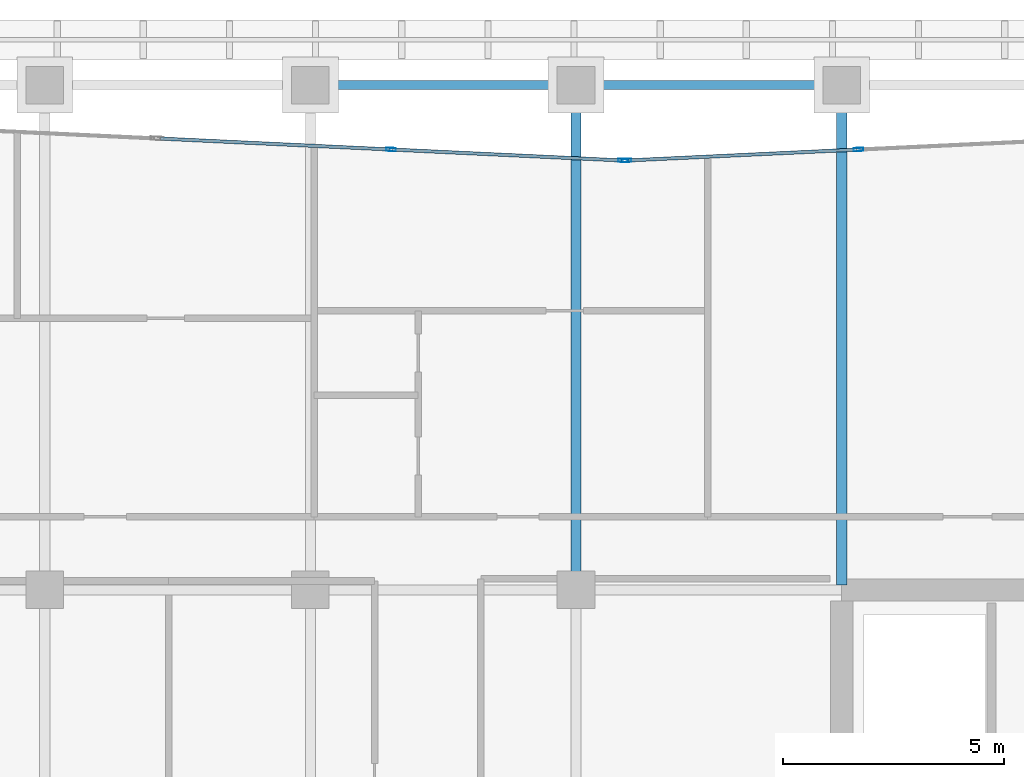
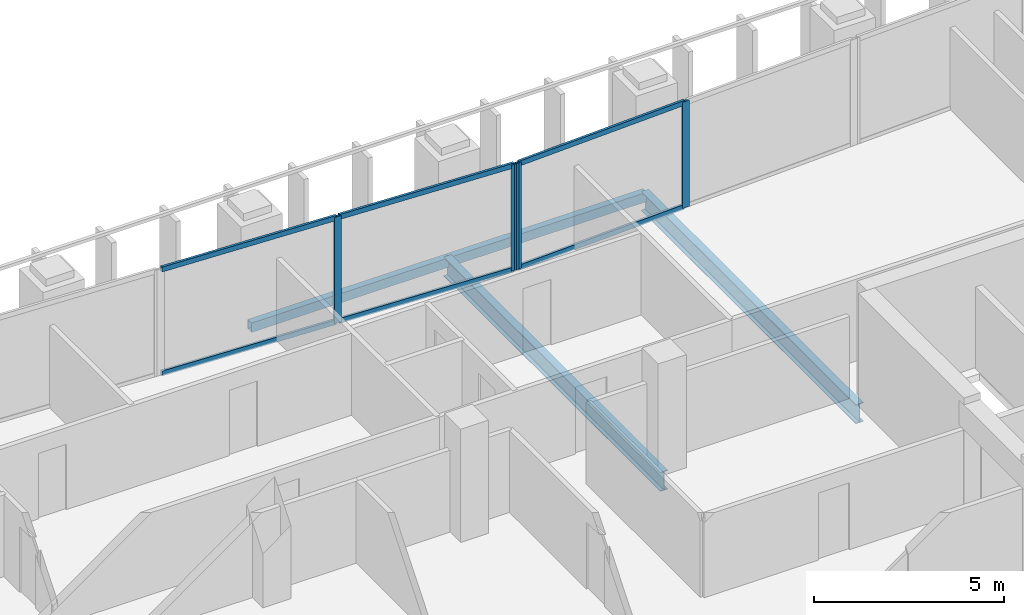
# One storey, part 13 of 29: 10 members, 4 beams, 2 elements without a shape of their own.
"""IFC4 building model written with IfcOpenShell, lengths in metres."""

from ifc_helpers import new_model, si_unit, direction, frame, origin, origin_2d, place, context, subcontext, project, spatial, hollow_rectangle, i_section, extrude, material, layer, layer_set, material_profile, profile_set, type_object, element, aggregate, save


model = new_model("IFC4")

# Units and contexts
model_context = context("Model", 3, precision=1e-05, world=origin(), true_north=direction((0.0, 1.0)))
body_context = subcontext(model_context, "Body", "Model", "MODEL_VIEW")
ifc_project = project(units=[si_unit("LENGTHUNIT", "METRE"), si_unit("AREAUNIT", "SQUARE_METRE"), si_unit("VOLUMEUNIT", "CUBIC_METRE"), si_unit("PLANEANGLEUNIT", "RADIAN"), si_unit("MASSUNIT", "GRAM", prefix="KILO")], contexts=[model_context])

# Site, building, storey
site_placement = place(None, origin())
site = spatial("IfcSite", under=ifc_project, at=site_placement, CompositionType="ELEMENT")
building_placement = place(site_placement, origin())
building = spatial("IfcBuilding", under=site, at=building_placement, Name="Tanjung Sevakor Pilgrim Tower", CompositionType="ELEMENT")
storey_placement = place(building_placement, frame((0.0, 0.0, 162.030029296875)))
storey = spatial("IfcBuildingStorey", under=building, at=storey_placement, Name="L45", CompositionType="ELEMENT", Elevation=162.030029296875)

# Beams
ifc_material_1 = material(Name="Steel S355J2", Category="steel")
ifc_material_profile_1 = material_profile(ifc_material_1, i_section(OverallWidth=0.22900390625, OverallDepth=0.6123046875, WebThickness=0.011962890625, FlangeThickness=0.01953125, FilletRadius=0.0126953125, at=origin_2d()))
ifc_profile_set_1 = profile_set([ifc_material_profile_1], Name="Steel S355J2")
beam_type_1 = type_object("IfcBeamType", Name="BM-B-G4-UB_610x229x125", PredefinedType="BEAM", material=ifc_profile_set_1)
beam_1_placement = place(storey_placement, frame((72.0, 42.60009765625, -0.526123046875), z_axis=(0.0, 1.0, 0.0), x_axis=(-1.0, 0.0, 0.0)))
element("IfcBeam", 1, at=beam_1_placement, inside=storey, type_object=beam_type_1, Name="L45 MAIN Girder 022", PredefinedType="BEAM", context=body_context, shape_type="SweptSolid", body=[
    extrude(i_section(OverallWidth=0.22900390625, OverallDepth=0.6123046875, WebThickness=0.011962890625, FlangeThickness=0.01953125, FilletRadius=0.0126953125, at=origin_2d()), origin(), (0.0, 0.0, 1.0), 11.39990234375),
])
beam_2_placement = place(storey_placement, frame((78.0, 42.715087890625, -0.526123046875), z_axis=(0.0, 1.0, 0.0), x_axis=(-1.0, 0.0, 0.0)))
element("IfcBeam", 2, at=beam_2_placement, inside=storey, type_object=beam_type_1, Name="L45 MAIN Girder 024", PredefinedType="BEAM", context=body_context, shape_type="SweptSolid", body=[
    extrude(i_section(OverallWidth=0.22900390625, OverallDepth=0.6123046875, WebThickness=0.011962890625, FlangeThickness=0.01953125, FilletRadius=0.0126953125, at=origin_2d()), origin(), (0.0, 0.0, 1.0), 11.284912109375),
])
ifc_material_2 = material(Name="Steel S355J2", Category="steel")
ifc_material_profile_2 = material_profile(ifc_material_2, hollow_rectangle(XDim=0.199951171875, YDim=0.300048828125, WallThickness=0.012451171875, at=origin_2d()))
ifc_profile_set_2 = profile_set([ifc_material_profile_2], Name="Steel S355J2")
beam_type_2 = type_object("IfcBeamType", Name="BM-B-SP3-RHS_300x200x12.5", PredefinedType="SPANDREL", material=ifc_profile_set_2)
for number, where, z_axis, x_axis, name in (
    (3, (66.0, 54.0, -0.3701171875), (1.0, 0.0, 0.0), (0.0, 1.0, 0.0), "L45 Spandrel MAIN N-12"),
    (4, (72.0, 54.0, -0.3701171875), (1.0, 0.0, 0.0), (0.0, 1.0, 0.0), "L45 Spandrel MAIN N-14"),
):
    element("IfcBeam", number, at=place(storey_placement, frame(where, z_axis=z_axis, x_axis=x_axis)), inside=storey, type_object=beam_type_2, Name=name, PredefinedType="SPANDREL", context=body_context, shape_type="SweptSolid", body=[
        extrude(hollow_rectangle(XDim=0.199951171875, YDim=0.300048828125, WallThickness=0.012451171875, at=origin_2d()), origin(), (0.0, 0.0, 1.0), 6.0),
    ])

# Curtain wall, members
ifc_material_3 = material(Name="Aluminium 6063-T6 and Low-E Glass", Category="aluminium")
ifc_layer = layer(ifc_material_3, 0.199951171875)
ifc_layer_set = layer_set([ifc_layer], Name="CW-SYS-PRAY")
curtain_wall_type = type_object("IfcCurtainWallType", Name="CW-SYS-PRAY", PredefinedType="NOTDEFINED", material=ifc_layer_set)
curtain_wall_1_placement = place(storey_placement, origin())
curtain_wall_1 = element("IfcCurtainWall", 5, at=curtain_wall_1_placement, inside=storey, type_object=curtain_wall_type, Name="L45 Curtain Wall CW-PRY-L45-21", PredefinedType="NOTDEFINED")
ifc_material_4 = material(Name="Aluminium 6063-T6", Category="aluminium")
ifc_material_profile_3 = material_profile(ifc_material_4, hollow_rectangle(XDim=0.074951171875, YDim=0.219970703125, WallThickness=0.0048828125, at=origin_2d()))
ifc_profile_set_3 = profile_set([ifc_material_profile_3], Name="Aluminium 6063-T6")
member_type_1 = type_object("IfcMemberType", Name="TYPE-CWM-2", PredefinedType="MULLION", material=ifc_profile_set_3)
member_1_placement = place(storey_placement, frame((78.3779296875, 52.544921875, 0.0), z_axis=(0.0, 0.0, 1.0), x_axis=(0.04733271113, -0.998879179109, 0.0)))
member_1 = element("IfcMember", 6, at=member_1_placement, type_object=member_type_1, Name="CW-PRY mullion 2", PredefinedType="MULLION", context=body_context, shape_type="SweptSolid", body=[
    extrude(hollow_rectangle(XDim=0.074951171875, YDim=0.219970703125, WallThickness=0.0048828125, at=origin_2d()), origin(), (0.0, 0.0, 1.0), 3.409912109375),
])
member_2_placement = place(storey_placement, frame((73.137451171875, 52.296630859375, 0.0), z_axis=(0.0, 0.0, 1.0), x_axis=(0.04733271113, -0.998879179109, 0.0)))
member_2 = element("IfcMember", 7, at=member_2_placement, type_object=member_type_1, Name="CW-PRY mullion 3", PredefinedType="MULLION", context=body_context, shape_type="SweptSolid", body=[
    extrude(hollow_rectangle(XDim=0.074951171875, YDim=0.219970703125, WallThickness=0.0048828125, at=origin_2d()), origin(), (0.0, 0.0, 1.0), 3.409912109375),
])

curtain_wall_2_placement = place(storey_placement, origin())
curtain_wall_2 = element("IfcCurtainWall", 8, at=curtain_wall_2_placement, inside=storey, type_object=curtain_wall_type, Name="L45 Curtain Wall CW-PRY-L45-22", PredefinedType="NOTDEFINED")
member_3_placement = place(storey_placement, frame((73.0625, 52.296630859375, 0.0), z_axis=(0.0, 0.0, 1.0), x_axis=(-0.04733271113, -0.998879179109, 0.0)))
member_3 = element("IfcMember", 9, at=member_3_placement, type_object=member_type_1, Name="CW-PRY mullion 1", PredefinedType="MULLION", context=body_context, shape_type="SweptSolid", body=[
    extrude(hollow_rectangle(XDim=0.074951171875, YDim=0.219970703125, WallThickness=0.0048828125, at=origin_2d()), origin(), (0.0, 0.0, 1.0), 3.409912109375),
])
member_4_placement = place(storey_placement, frame((67.822021484375, 52.544921875, 0.0), z_axis=(0.0, 0.0, 1.0), x_axis=(-0.04733271113, -0.998879179109, 0.0)))
member_4 = element("IfcMember", 10, at=member_4_placement, type_object=member_type_1, Name="CW-PRY mullion 2", PredefinedType="MULLION", context=body_context, shape_type="SweptSolid", body=[
    extrude(hollow_rectangle(XDim=0.074951171875, YDim=0.219970703125, WallThickness=0.0048828125, at=origin_2d()), origin(), (0.0, 0.0, 1.0), 3.409912109375),
])

# Member
ifc_material_5 = material(Name="Aluminium 6063-T6", Category="aluminium")
ifc_material_profile_4 = material_profile(ifc_material_5, hollow_rectangle(XDim=0.074951171875, YDim=0.159912109375, WallThickness=0.00439453125, at=origin_2d()))
ifc_profile_set_4 = profile_set([ifc_material_profile_4], Name="Aluminium 6063-T6")
member_type_2 = type_object("IfcMemberType", Name="TYPE-CWT-2", PredefinedType="USERDEFINED", material=ifc_profile_set_4)
member_5_placement = place(storey_placement, frame((78.340576171875, 52.543212890625, 0.037353515625), z_axis=(-0.998878367882, -0.047349827638, 0.0), x_axis=(0.047349827638, -0.998878367882, 0.0)))
member_5 = element("IfcMember", 11, at=member_5_placement, type_object=member_type_2, Name="CW-PRY transom 2.1", ObjectType="TRANSOM", PredefinedType="USERDEFINED", context=body_context, shape_type="SweptSolid", body=[
    extrude(hollow_rectangle(XDim=0.074951171875, YDim=0.159912109375, WallThickness=0.00439453125, at=origin_2d()), origin(), (0.0, 0.0, 1.0), 5.171630859375),
])

member_6_placement = place(storey_placement, frame((78.340576171875, 52.543212890625, 3.37255859375), z_axis=(-0.998878367882, -0.047349827638, 0.0), x_axis=(0.047349827638, -0.998878367882, 0.0)))
member_6 = element("IfcMember", 12, at=member_6_placement, type_object=member_type_2, Name="CW-PRY transom 2.2", ObjectType="TRANSOM", PredefinedType="USERDEFINED", context=body_context, shape_type="SweptSolid", body=[
    extrude(hollow_rectangle(XDim=0.074951171875, YDim=0.159912109375, WallThickness=0.00439453125, at=origin_2d()), origin(), (0.0, 0.0, 1.0), 5.171630859375),
])

aggregate(curtain_wall_1, [member_1, member_2, member_5, member_6])

member_7_placement = place(storey_placement, frame((73.025146484375, 52.29833984375, 0.037353515625), z_axis=(-0.998878262033, 0.047352060536, 0.0), x_axis=(-0.047352060536, -0.998878262033, 0.0)))
member_7 = element("IfcMember", 13, at=member_7_placement, type_object=member_type_2, Name="CW-PRY transom 1.1", ObjectType="TRANSOM", PredefinedType="USERDEFINED", context=body_context, shape_type="SweptSolid", body=[
    extrude(hollow_rectangle(XDim=0.074951171875, YDim=0.159912109375, WallThickness=0.00439453125, at=origin_2d()), origin(), (0.0, 0.0, 1.0), 5.17138671875),
])

member_8_placement = place(storey_placement, frame((73.025146484375, 52.29833984375, 3.37255859375), z_axis=(-0.998878262033, 0.047352060536, 0.0), x_axis=(-0.047352060536, -0.998878262033, 0.0)))
member_8 = element("IfcMember", 14, at=member_8_placement, type_object=member_type_2, Name="CW-PRY transom 1.2", ObjectType="TRANSOM", PredefinedType="USERDEFINED", context=body_context, shape_type="SweptSolid", body=[
    extrude(hollow_rectangle(XDim=0.074951171875, YDim=0.159912109375, WallThickness=0.00439453125, at=origin_2d()), origin(), (0.0, 0.0, 1.0), 5.17138671875),
])

member_9_placement = place(storey_placement, frame((67.78466796875, 52.546875, 0.037353515625), z_axis=(-0.99888059957, 0.047302725118, 0.0), x_axis=(-0.047302725118, -0.99888059957, 0.0)))
member_9 = element("IfcMember", 15, at=member_9_placement, type_object=member_type_2, Name="CW-PRY transom 2.1", ObjectType="TRANSOM", PredefinedType="USERDEFINED", context=body_context, shape_type="SweptSolid", body=[
    extrude(hollow_rectangle(XDim=0.074951171875, YDim=0.159912109375, WallThickness=0.00439453125, at=origin_2d()), origin(), (0.0, 0.0, 1.0), 5.171630859375),
])

member_10_placement = place(storey_placement, frame((67.78466796875, 52.546875, 3.37255859375), z_axis=(-0.99888059957, 0.047302725118, 0.0), x_axis=(-0.047302725118, -0.99888059957, 0.0)))
member_10 = element("IfcMember", 16, at=member_10_placement, type_object=member_type_2, Name="CW-PRY transom 2.2", ObjectType="TRANSOM", PredefinedType="USERDEFINED", context=body_context, shape_type="SweptSolid", body=[
    extrude(hollow_rectangle(XDim=0.074951171875, YDim=0.159912109375, WallThickness=0.00439453125, at=origin_2d()), origin(), (0.0, 0.0, 1.0), 5.171630859375),
])

aggregate(curtain_wall_2, [member_3, member_4, member_7, member_8, member_9, member_10])

save(model, "model.ifc")
